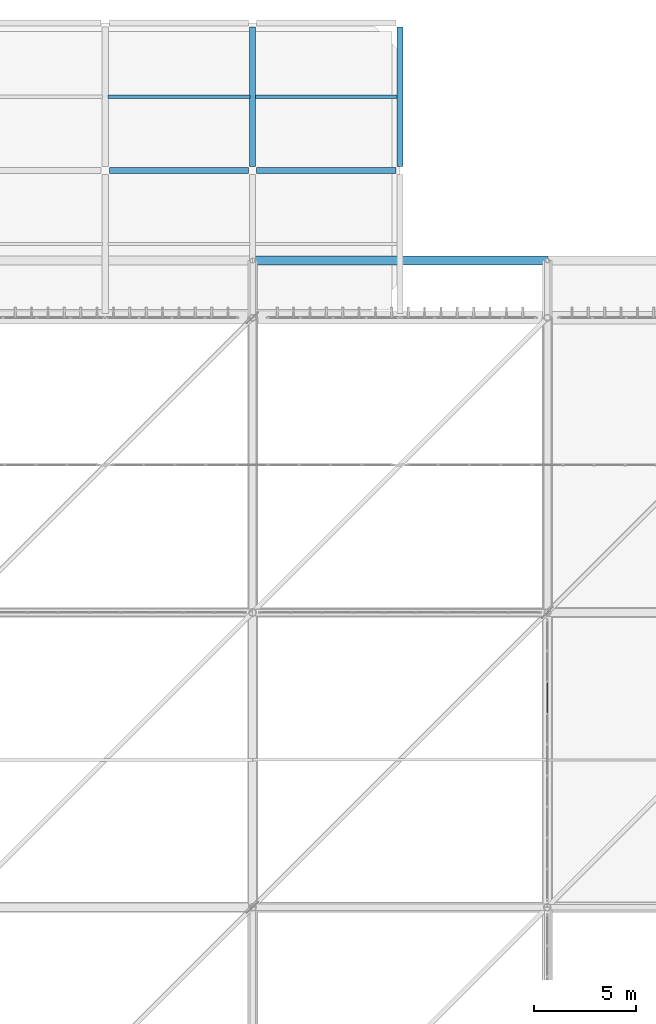
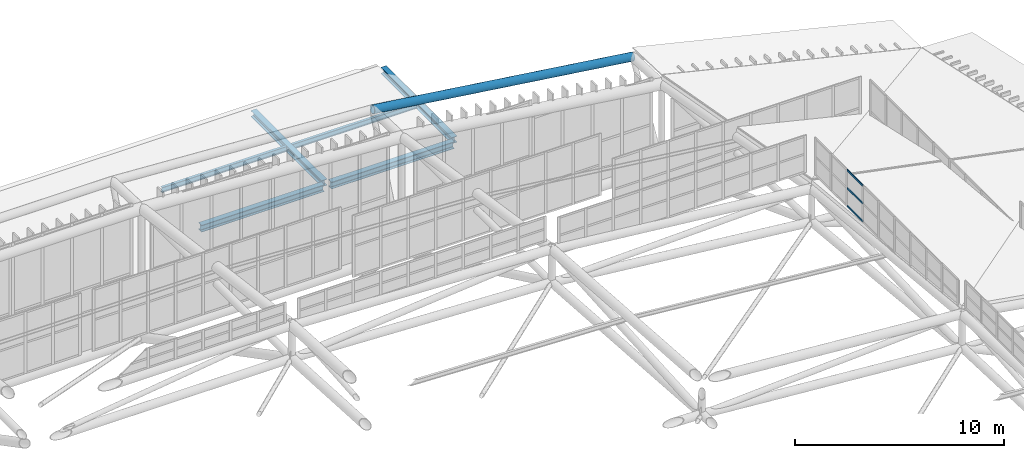
# One storey, part 333 of 397: 7 beams, 3 members, 1 element without a shape of its own.
"""IFC4 building model written with IfcOpenShell, lengths in metres."""

from ifc_helpers import new_model, si_unit, direction, frame, origin, origin_2d, place, context, subcontext, project, spatial, hollow_rectangle, hollow_circle, i_section, extrude, material, material_profile, profile_set, type_object, element, aggregate, save


model = new_model("IFC4")

# Units and contexts
model_context = context("Model", 3, precision=1e-05, world=origin(), true_north=direction((0.0, 1.0)))
body_context = subcontext(model_context, "Body", "Model", "MODEL_VIEW")
ifc_project = project(units=[si_unit("LENGTHUNIT", "METRE"), si_unit("AREAUNIT", "SQUARE_METRE"), si_unit("VOLUMEUNIT", "CUBIC_METRE"), si_unit("PLANEANGLEUNIT", "RADIAN"), si_unit("MASSUNIT", "GRAM", prefix="KILO")], contexts=[model_context])

# Site, building, storey
site_placement = place(None, origin())
site = spatial("IfcSite", under=ifc_project, at=site_placement, CompositionType="ELEMENT")
building_placement = place(site_placement, origin())
building = spatial("IfcBuilding", under=site, at=building_placement, Name="Qandorah Velis Arena", CompositionType="ELEMENT")
storey_placement = place(building_placement, frame((0.0, 0.0, 27.5)))
storey = spatial("IfcBuildingStorey", under=building, at=storey_placement, Name="RF", CompositionType="ELEMENT", Elevation=27.5)

# Curtain wall, members
ifc_material_1 = material(Name="Solar-control low-E double glazing", Category="glass")
curtain_wall_type = type_object("IfcCurtainWallType", Name="ARC-CW-SYS15", PredefinedType="USERDEFINED", material=ifc_material_1)
curtain_wall_placement = place(storey_placement, origin())
curtain_wall = element("IfcCurtainWall", 1, at=curtain_wall_placement, inside=storey, type_object=curtain_wall_type, Name="Unitised curtain wall OCULUS-2-5", ObjectType="UNITISED CURTAIN WALL", PredefinedType="USERDEFINED")
ifc_material_2 = material(Name="Champagne-bronze anodized aluminium 6063-T6", Category="aluminium")
ifc_material_profile_1 = material_profile(ifc_material_2, hollow_rectangle(XDim=0.054931640625, YDim=0.10009765625, WallThickness=0.0029296875, at=origin_2d()), Name="ALU TRANSOM 55x100")
ifc_profile_set_1 = profile_set([ifc_material_profile_1], Name="Champagne-bronze anodized aluminium 6063-T6")
member_type = type_object("IfcMemberType", Name="ARC-CWT-100", PredefinedType="USERDEFINED", material=ifc_profile_set_1)
member_1_placement = place(storey_placement, frame((100.800048828125, 95.898681640625, 8.513427734375), z_axis=(0.0, 1.0, 0.0), x_axis=(-1.0, 0.0, 0.0)))
member_1 = element("IfcMember", 2, at=member_1_placement, type_object=member_type, Name="CW15 transom 7.1", ObjectType="TRANSOM", PredefinedType="USERDEFINED", context=body_context, shape_type="SweptSolid", body=[
    extrude(hollow_rectangle(XDim=0.054931640625, YDim=0.10009765625, WallThickness=0.0029296875, at=origin_2d()), origin(), (0.0, 0.0, 1.0), 1.491455078125),
])
member_2_placement = place(storey_placement, frame((100.800048828125, 95.898681640625, 9.56103515625), z_axis=(0.0, 1.0, 0.0), x_axis=(-1.0, 0.0, 0.0)))
member_2 = element("IfcMember", 3, at=member_2_placement, type_object=member_type, Name="CW15 transom 7.2", ObjectType="TRANSOM", PredefinedType="USERDEFINED", context=body_context, shape_type="SweptSolid", body=[
    extrude(hollow_rectangle(XDim=0.054931640625, YDim=0.10009765625, WallThickness=0.0029296875, at=origin_2d()), origin(), (0.0, 0.0, 1.0), 1.491455078125),
])
member_3_placement = place(storey_placement, frame((100.800048828125, 95.898681640625, 10.6083984375), z_axis=(0.0, 1.0, 0.0), x_axis=(-1.0, 0.0, 0.0)))
member_3 = element("IfcMember", 4, at=member_3_placement, type_object=member_type, Name="CW15 transom 7.3", ObjectType="TRANSOM", PredefinedType="USERDEFINED", context=body_context, shape_type="SweptSolid", body=[
    extrude(hollow_rectangle(XDim=0.054931640625, YDim=0.10009765625, WallThickness=0.0029296875, at=origin_2d()), origin(), (0.0, 0.0, 1.0), 1.491455078125),
])
aggregate(curtain_wall, [member_1, member_2, member_3])

# Beams
ifc_material_3 = material(Name="Steel S355", Category="steel")
ifc_material_profile_2 = material_profile(ifc_material_3, i_section(OverallWidth=0.300048828125, OverallDepth=0.360107421875, WebThickness=0.012451171875, FlangeThickness=0.0224609375, FilletRadius=0.027099609375, at=origin_2d()), Name="HEB 360")
ifc_profile_set_2 = profile_set([ifc_material_profile_2], Name="Steel S355")
beam_type_1 = type_object("IfcBeamType", Name="STR-BM-HEB360", PredefinedType="BEAM", material=ifc_profile_set_2)
for number, where, z_axis, x_axis, name in (
    (5, (86.39990234375, 122.60009765625, -0.39990234375), (0.0, 1.0, 0.0), (-1.0, 0.0, 0.0), "Primary floor girder RF Y-122"),
    (6, (93.60009765625, 122.60009765625, -0.39990234375), (0.0, 1.0, 0.0), (-1.0, 0.0, 0.0), "Primary floor girder RF Y-126"),
):
    element("IfcBeam", number, at=place(storey_placement, frame(where, z_axis=z_axis, x_axis=x_axis)), inside=storey, type_object=beam_type_1, Name=name, PredefinedType="BEAM", context=body_context, shape_type="SweptSolid", body=[
        extrude(i_section(OverallWidth=0.300048828125, OverallDepth=0.360107421875, WebThickness=0.012451171875, FlangeThickness=0.0224609375, FilletRadius=0.027099609375, at=origin_2d()), origin(), (0.0, 0.0, 1.0), 6.7998046875),
    ])
ifc_material_profile_3 = material_profile(ifc_material_3, i_section(OverallWidth=0.300048828125, OverallDepth=0.39990234375, WebThickness=0.013427734375, FlangeThickness=0.02392578125, FilletRadius=0.027099609375, at=origin_2d()), Name="HEB 400")
ifc_profile_set_3 = profile_set([ifc_material_profile_3], Name="Steel S355")
beam_type_2 = type_object("IfcBeamType", Name="STR-BM-HEB400", PredefinedType="BEAM", material=ifc_profile_set_3)
beam_1_placement = place(storey_placement, frame((79.39990234375, 122.39990234375, -0.419921875), z_axis=(1.0, 0.0, 0.0), x_axis=(0.0, 1.0, 0.0)))
element("IfcBeam", 7, at=beam_1_placement, inside=storey, type_object=beam_type_2, Name="Primary floor girder RF X-052", PredefinedType="BEAM", context=body_context, shape_type="SweptSolid", body=[
    extrude(i_section(OverallWidth=0.300048828125, OverallDepth=0.39990234375, WebThickness=0.013427734375, FlangeThickness=0.02392578125, FilletRadius=0.027099609375, at=origin_2d()), origin(), (0.0, 0.0, 1.0), 6.800048828125),
])
beam_2_placement = place(storey_placement, frame((86.60009765625, 122.39990234375, -0.419921875), z_axis=(1.0, 0.0, 0.0), x_axis=(0.0, 1.0, 0.0)))
element("IfcBeam", 8, at=beam_2_placement, inside=storey, type_object=beam_type_2, Name="Primary floor girder RF X-053", PredefinedType="BEAM", context=body_context, shape_type="SweptSolid", body=[
    extrude(i_section(OverallWidth=0.300048828125, OverallDepth=0.39990234375, WebThickness=0.013427734375, FlangeThickness=0.02392578125, FilletRadius=0.027099609375, at=origin_2d()), origin(), (0.0, 0.0, 1.0), 6.7998046875),
])
ifc_material_profile_4 = material_profile(ifc_material_3, i_section(OverallWidth=0.14990234375, OverallDepth=0.300048828125, WebThickness=0.007080078125, FlangeThickness=0.0107421875, FilletRadius=0.014892578125, at=origin_2d()), Name="IPE 300")
ifc_profile_set_4 = profile_set([ifc_material_profile_4], Name="Steel S355")
beam_type_3 = type_object("IfcBeamType", Name="STR-JST-IPE300", PredefinedType="JOIST", material=ifc_profile_set_4)
beam_3_placement = place(storey_placement, frame((79.3349609375, 126.0, -0.3701171875), z_axis=(1.0, 0.0, 0.0), x_axis=(0.0, 1.0, 0.0)))
element("IfcBeam", 9, at=beam_3_placement, inside=storey, type_object=beam_type_3, Name="Secondary floor joist RF-044", PredefinedType="JOIST", context=body_context, shape_type="SweptSolid", body=[
    extrude(i_section(OverallWidth=0.14990234375, OverallDepth=0.300048828125, WebThickness=0.007080078125, FlangeThickness=0.0107421875, FilletRadius=0.014892578125, at=origin_2d()), origin(), (0.0, 0.0, 1.0), 6.929931640625),
])
beam_4_placement = place(storey_placement, frame((86.534912109375, 126.0, -0.3701171875), z_axis=(1.0, 0.0, 0.0), x_axis=(0.0, 1.0, 0.0)))
element("IfcBeam", 10, at=beam_4_placement, inside=storey, type_object=beam_type_3, Name="Secondary floor joist RF-048", PredefinedType="JOIST", context=body_context, shape_type="SweptSolid", body=[
    extrude(i_section(OverallWidth=0.14990234375, OverallDepth=0.300048828125, WebThickness=0.007080078125, FlangeThickness=0.0107421875, FilletRadius=0.014892578125, at=origin_2d()), origin(), (0.0, 0.0, 1.0), 6.93017578125),
])
ifc_material_profile_5 = material_profile(ifc_material_3, hollow_circle(Radius=0.228515625, WallThickness=0.01611328125, at=origin_2d()), Name="CHS 457x16")
ifc_profile_set_5 = profile_set([ifc_material_profile_5], Name="Steel S355")
beam_type_4 = type_object("IfcBeamType", Name="STR-SFC-CHS457X16", PredefinedType="USERDEFINED", material=ifc_profile_set_5)
beam_5_placement = place(storey_placement, frame((86.39990234375, 118.0, 6.69921875), z_axis=(0.990980554849, 0.0, -0.134005745816), x_axis=(0.0, 1.0, 0.0)))
element("IfcBeam", 11, at=beam_5_placement, inside=storey, type_object=beam_type_4, Name="Space frame eave fascia ring N-5", ObjectType="ROOF TRUSS", PredefinedType="USERDEFINED", context=body_context, shape_type="SweptSolid", body=[
    extrude(hollow_circle(Radius=0.228515625, WallThickness=0.01611328125, at=origin_2d()), origin(), (0.0, 0.0, 1.0), 14.53125),
])

save(model, "model.ifc")
